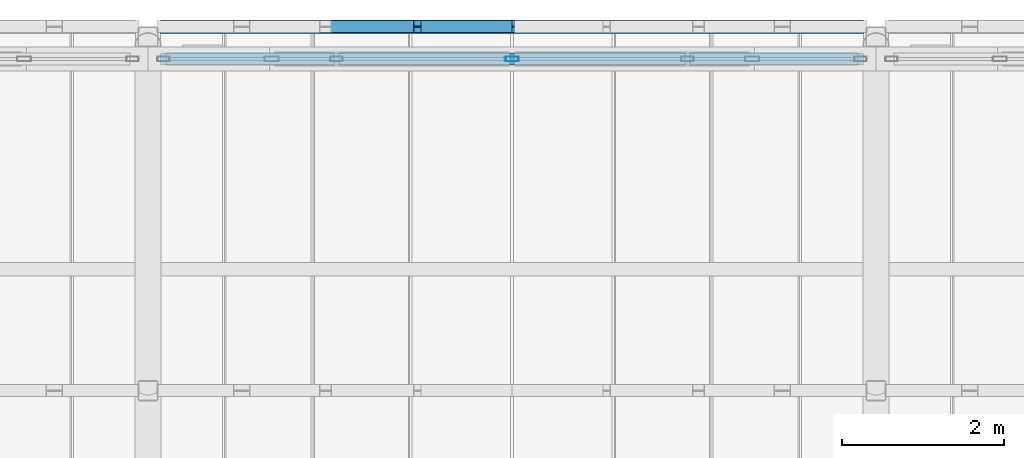
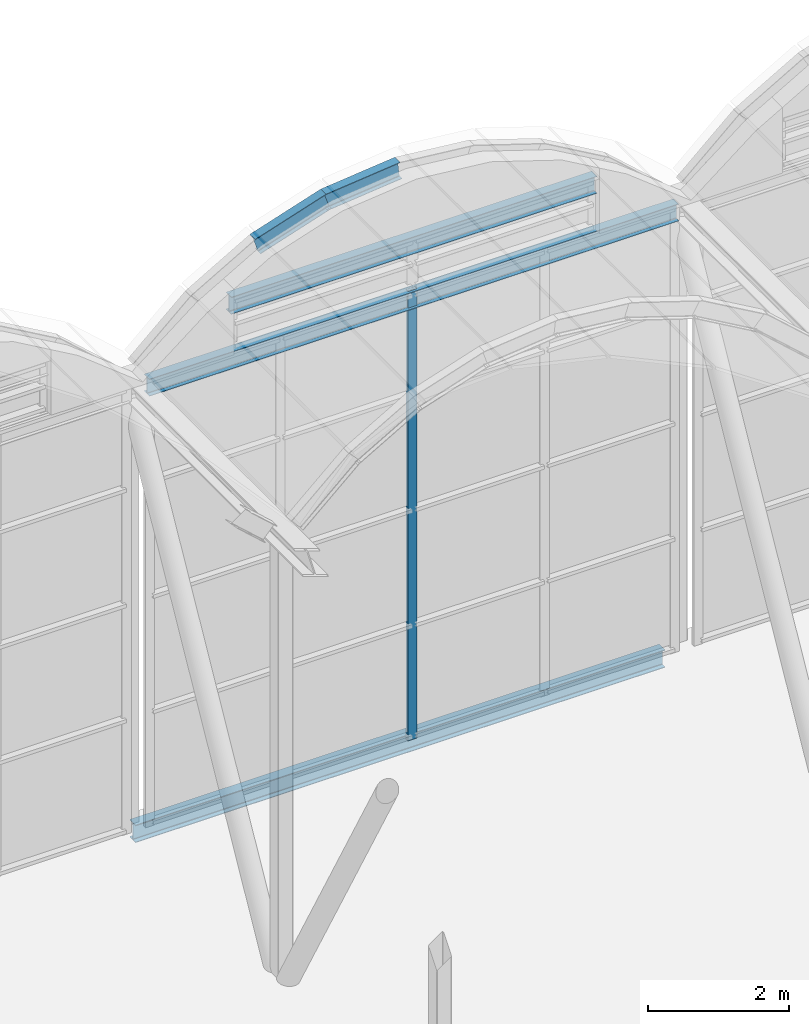
# One storey, part 107 of 144: 3 beams, 3 members, 1 element without a shape of its own.
"""IFC4 building model written with IfcOpenShell, lengths in metres."""

import ifcopenshell
import ifcopenshell.guid

model = None  # the IFC model being written
_history = None  # IfcOwnerHistory: only IFC2X3 demands one
_inside = {}  # id of a spatial element -> (the spatial element, [elements in it])
_under = {}  # id of a project, library or spatial element -> (it, [spatial elements below it])
_declared = {}  # id of a project -> (the project, [libraries it declares])
_typed = {}  # id of a type object -> (the type object, [elements of that type])
_made_of = {}  # id of a material, layer set ... -> (it, [elements and type objects made of it])


def new_model(schema):
    """Start an empty IFC model of exactly this schema.

    Asked for "IFC4X3", IfcOpenShell would pick the latest addendum, in which some entities
    have other attributes; the version numbers below select the first issue.
    IFC2X3 requires an IfcOwnerHistory on every rooted entity: one is made here for all.
    """
    global model, _history
    if schema == "IFC4X3":
        model = ifcopenshell.file(schema_version=(4, 3, 0, 0))
    else:
        model = ifcopenshell.file(schema=schema)
    _inside.clear()
    _under.clear()
    _declared.clear()
    _typed.clear()
    _made_of.clear()
    _history = None
    if model.schema == "IFC2X3":
        org = make("IfcOrganization", Name="unknown")
        user = make(
            "IfcPersonAndOrganization",
            ThePerson=make("IfcPerson", FamilyName="unknown"),
            TheOrganization=org,
        )
        app = make(
            "IfcApplication",
            ApplicationDeveloper=org,
            Version="unknown",
            ApplicationFullName="unknown",
            ApplicationIdentifier="unknown",
        )
        _history = make(
            "IfcOwnerHistory",
            OwningUser=user,
            OwningApplication=app,
            ChangeAction="ADDED",
            CreationDate=0,
        )
    return model


def make(cls, **values):
    """One entity of the class cls with the attributes given. An attribute that is None is left unset."""
    return model.create_entity(
        cls, **{name: value for name, value in values.items() if value is not None}
    )


def rooted(cls, **values):
    """An entity with a GlobalId (a new one), such as an element, a storey or a relation."""
    return make(cls, GlobalId=ifcopenshell.guid.new(), OwnerHistory=_history, **values)


def si_unit(unit_type, name, prefix=None):
    """IfcSIUnit, for example si_unit("LENGTHUNIT", "METRE", prefix="MILLI")."""
    return make("IfcSIUnit", UnitType=unit_type, Prefix=prefix, Name=name)


def assignment(units):
    """IfcUnitAssignment: the units of a project."""
    return None if units is None else make("IfcUnitAssignment", Units=units)


def point(xyz):
    """IfcCartesianPoint."""
    return None if xyz is None else make("IfcCartesianPoint", Coordinates=xyz)


def direction(xyz):
    """IfcDirection."""
    return None if xyz is None else make("IfcDirection", DirectionRatios=xyz)


def frame(location, z_axis=None, x_axis=None):
    """IfcAxis2Placement3D, a coordinate frame: its origin and axes. An axis left out is left unset."""
    return make(
        "IfcAxis2Placement3D",
        Location=point(location),
        Axis=direction(z_axis),
        RefDirection=direction(x_axis),
    )


def frame_2d(location, x_axis=None):
    """IfcAxis2Placement2D, a coordinate frame in the plane: its origin and x axis."""
    return make(
        "IfcAxis2Placement2D", Location=point(location), RefDirection=direction(x_axis)
    )


def origin():
    """The frame at (0, 0, 0) with its axes left unset."""
    return frame((0.0, 0.0, 0.0))


def origin_2d():
    """The frame at (0, 0) in the plane with its x axis left unset."""
    return frame_2d((0.0, 0.0))


def place(relative_to, where):
    """IfcLocalPlacement: puts the frame where relative to a parent placement (None: the world)."""
    return make(
        "IfcLocalPlacement", PlacementRelTo=relative_to, RelativePlacement=where
    )


def context(
    kind, dimensions, precision=None, world=None, true_north=None, identifier=None
):
    """IfcGeometricRepresentationContext, for example the 3D "Model" context."""
    return make(
        "IfcGeometricRepresentationContext",
        ContextIdentifier=identifier,
        ContextType=kind,
        CoordinateSpaceDimension=dimensions,
        Precision=precision,
        WorldCoordinateSystem=world,
        TrueNorth=true_north,
    )


def subcontext(parent, identifier, kind, view, scale=None):
    """IfcGeometricRepresentationSubContext, for example "Body" below "Model"."""
    return make(
        "IfcGeometricRepresentationSubContext",
        ContextIdentifier=identifier,
        ContextType=kind,
        ParentContext=parent,
        TargetScale=scale,
        TargetView=view,
    )


def project(units=None, contexts=None):
    """IfcProject with its units and contexts."""
    return rooted(
        "IfcProject",
        Name="project",
        RepresentationContexts=contexts,
        UnitsInContext=assignment(units),
    )


def spatial(cls, under=None, at=None, **own):
    """A site, building, storey or space (cls), placed at a placement, below another one or the project."""
    s = rooted(cls, ObjectPlacement=at, **own)
    if under is not None:
        _under.setdefault(under.id(), (under, []))[1].append(s)
    return s


def profile(cls, at=None, kind="AREA", **sizes):
    """A parametric profile (cls). Its sizes go by their IFC names, for example OverallWidth=200.0."""
    return make(cls, ProfileType=kind, Position=at, **sizes)


def hollow_rectangle(**sizes):
    """IfcRectangleHollowProfileDef."""
    return profile("IfcRectangleHollowProfileDef", **sizes)


def i_section(**sizes):
    """IfcIShapeProfileDef."""
    return profile("IfcIShapeProfileDef", **sizes)


def extrude(swept, where, along, depth):
    """IfcExtrudedAreaSolid: the profile swept, set in the frame where, extruded along a direction by depth."""
    return make(
        "IfcExtrudedAreaSolid",
        SweptArea=swept,
        Position=where,
        ExtrudedDirection=direction(along),
        Depth=depth,
    )


def shape(context_of_items, identifier, shape_type, items):
    """IfcShapeRepresentation: the items that make up one representation, for example the "Body"."""
    return make(
        "IfcShapeRepresentation",
        ContextOfItems=context_of_items,
        RepresentationIdentifier=identifier,
        RepresentationType=shape_type,
        Items=items,
    )


def material(Name=None, Category=None):
    """IfcMaterial."""
    return make("IfcMaterial", Name=Name, Category=Category)


def layer(
    of_material, thickness, ventilated=None, Name=None, Category=None, Priority=None
):
    """IfcMaterialLayer: one layer of a wall or slab, of a material (None: an air gap)."""
    return make(
        "IfcMaterialLayer",
        Material=of_material,
        LayerThickness=thickness,
        IsVentilated=ventilated,
        Name=Name,
        Category=Category,
        Priority=Priority,
    )


def layer_set(layers, Name=None):
    """IfcMaterialLayerSet."""
    return make("IfcMaterialLayerSet", MaterialLayers=layers, LayerSetName=Name)


def material_profile(
    of_material, cross_section, Name=None, Category=None, Priority=None
):
    """IfcMaterialProfile: a cross section and its material."""
    return make(
        "IfcMaterialProfile",
        Name=Name,
        Material=of_material,
        Profile=cross_section,
        Priority=Priority,
        Category=Category,
    )


def profile_set(profiles, Name=None, composite=None):
    """IfcMaterialProfileSet."""
    return make(
        "IfcMaterialProfileSet",
        Name=Name,
        MaterialProfiles=profiles,
        CompositeProfile=composite,
    )


def made_of(thing, what):
    """Note that an element or type object is made of a material, layer set ...; save() writes the relation."""
    if what is not None:
        _made_of.setdefault(what.id(), (what, []))[1].append(thing)
    return thing


def type_object(cls, material=None, **own):
    """A type object (cls), such as IfcWallType, which elements share."""
    return made_of(rooted(cls, **own), material)


def element(
    cls,
    number,
    at=None,
    inside=None,
    cuts=None,
    type_object=None,
    material=None,
    context=None,
    identifier="Body",
    shape_type=None,
    held_by="IfcProductDefinitionShape",
    body=None,
    shapes=None,
    **own,
):
    """One element of the class cls, such as IfcWall. Its Tag is "e" and its number.

    at: its placement. inside: the storey or other place that contains it. cuts: it is an
    opening in that element (IfcRelVoidsElement). A single representation is given by context,
    identifier, shape_type and body (its items); several are given by shapes. held_by: the class
    of the entity that holds the representations. save() writes the other relations.
    """
    e = rooted(cls, Tag="e%d" % number, ObjectPlacement=at, **own)
    if body is not None:
        shapes = [shape(context, identifier, shape_type, body)]
    if shapes is not None:
        e.Representation = make(held_by, Representations=shapes)
    if inside is not None:
        _inside.setdefault(inside.id(), (inside, []))[1].append(e)
    if cuts is not None:
        rooted(
            "IfcRelVoidsElement", RelatingBuildingElement=cuts, RelatedOpeningElement=e
        )
    if type_object is not None:
        _typed.setdefault(type_object.id(), (type_object, []))[1].append(e)
    return made_of(e, material)


def aggregate(whole, parts):
    """IfcRelAggregates: a whole, such as a stair, and the parts it consists of."""
    return rooted("IfcRelAggregates", RelatingObject=whole, RelatedObjects=parts)


def save(model, path):
    """Write the relations noted so far, then the file.

    IfcRelAggregates (storeys below a building ...), IfcRelContainedInSpatialStructure (elements
    in a storey), IfcRelDefinesByType, IfcRelAssociatesMaterial and IfcRelDeclares: one each for
    every whole, place, type object, material and project.
    """
    for whole, parts in _under.values():
        aggregate(whole, parts)
    for where, things in _inside.values():
        rooted(
            "IfcRelContainedInSpatialStructure",
            RelatedElements=things,
            RelatingStructure=where,
        )
    for kind, things in _typed.values():
        rooted("IfcRelDefinesByType", RelatedObjects=things, RelatingType=kind)
    for what, things in _made_of.values():
        rooted("IfcRelAssociatesMaterial", RelatedObjects=things, RelatingMaterial=what)
    for by, libraries in _declared.values():
        rooted("IfcRelDeclares", RelatingContext=by, RelatedDefinitions=libraries)
    model.write(path)


model = new_model("IFC4")

# Units and contexts
model_context = context("Model", 3, precision=1e-05, world=origin(), true_north=direction((0.0, 1.0)))
body_context = subcontext(model_context, "Body", "Model", "MODEL_VIEW")
ifc_project = project(units=[si_unit("LENGTHUNIT", "METRE"), si_unit("AREAUNIT", "SQUARE_METRE"), si_unit("VOLUMEUNIT", "CUBIC_METRE"), si_unit("PLANEANGLEUNIT", "RADIAN"), si_unit("MASSUNIT", "GRAM", prefix="KILO")], contexts=[model_context])

# Site, building, storey
site_placement = place(None, origin())
site = spatial("IfcSite", under=ifc_project, at=site_placement, CompositionType="ELEMENT")
building_placement = place(site_placement, origin())
building = spatial("IfcBuilding", under=site, at=building_placement, Name="Shorebreak Coast Museum", CompositionType="ELEMENT")
storey_placement = place(building_placement, frame((0.0, 0.0, 36.0)))
storey = spatial("IfcBuildingStorey", under=building, at=storey_placement, Name="L06", CompositionType="ELEMENT", Elevation=36.0)

# Curtain wall, member
ifc_material_1 = material(Name="Aluminium", Category="aluminium")
ifc_layer = layer(ifc_material_1, 0.14990234375)
ifc_layer_set = layer_set([ifc_layer], Name="Aluminium")
curtain_wall_type = type_object("IfcCurtainWallType", Name="Barrel end glazing", PredefinedType="NOTDEFINED", material=ifc_layer_set)
curtain_wall_placement = place(storey_placement, origin())
curtain_wall = element("IfcCurtainWall", 1, at=curtain_wall_placement, inside=storey, type_object=curtain_wall_type, Name="Barrel end glazing L06 4", PredefinedType="NOTDEFINED")
ifc_material_2 = material(Name="Aluminium", Category="aluminium")
ifc_material_profile_1 = material_profile(ifc_material_2, hollow_rectangle(XDim=0.06005859375, YDim=0.14990234375, WallThickness=0.00390625, at=origin_2d()), Name="AL 150x60 RHS")
ifc_profile_set_1 = profile_set([ifc_material_profile_1], Name="Aluminium")
member_type_1 = type_object("IfcMemberType", Name="Barrel mullion 60 x 150", PredefinedType="MULLION", material=ifc_profile_set_1)
member_placement = place(storey_placement, frame((85.5, 134.60009765625, 0.0), z_axis=(0.0, 0.0, 1.0), x_axis=(0.0, 1.0, 0.0)))
member = element("IfcMember", 2, at=member_placement, type_object=member_type_1, Name="CW7 mullion 3", PredefinedType="MULLION", context=body_context, shape_type="SweptSolid", body=[
    extrude(hollow_rectangle(XDim=0.06005859375, YDim=0.14990234375, WallThickness=0.00390625, at=origin_2d()), origin(), (0.0, 0.0, 1.0), 7.800048828125),
])
aggregate(curtain_wall, [member])

# Beam
ifc_material_3 = material(Name="Steel Grade 300", Category="steel")
ifc_material_profile_2 = material_profile(ifc_material_3, i_section(OverallWidth=0.166015625, OverallDepth=0.30712890625, WebThickness=0.006591796875, FlangeThickness=0.01171875, FilletRadius=0.011474609375, at=origin_2d()), Name="310UB46.2")
ifc_profile_set_2 = profile_set([ifc_material_profile_2], Name="Steel Grade 300")
beam_type_1 = type_object("IfcBeamType", Name="Floor girder east-west 310UB46.2", PredefinedType="BEAM", material=ifc_profile_set_2)
beam_1_placement = place(storey_placement, frame((81.155517578125, 135.0, -0.32861328125), z_axis=(1.0, 0.0, 0.0), x_axis=(0.0, 1.0, 0.0)))
element("IfcBeam", 3, at=beam_1_placement, inside=storey, type_object=beam_type_1, Name="Floor girder east-west L06 10S", PredefinedType="BEAM", context=body_context, shape_type="SweptSolid", body=[
    extrude(i_section(OverallWidth=0.166015625, OverallDepth=0.30712890625, WebThickness=0.006591796875, FlangeThickness=0.01171875, FilletRadius=0.011474609375, at=origin_2d()), origin(), (0.0, 0.0, 1.0), 8.68896484375),
])

# Members
ifc_material_4 = material(Name="Steel Grade 300", Category="steel")
ifc_material_profile_3 = material_profile(ifc_material_4, i_section(OverallWidth=0.14892578125, OverallDepth=0.298095703125, WebThickness=0.005615234375, FlangeThickness=0.008056640625, FilletRadius=0.012939453125, at=origin_2d()), Name="310UB32.0")
ifc_profile_set_3 = profile_set([ifc_material_profile_3], Name="Steel Grade 300")
member_type_2 = type_object("IfcMemberType", Name="Vault arch rib 310UB32.0", PredefinedType="RAFTER", material=ifc_profile_set_3)
for number, where, z_axis, x_axis, name in (
    (4, (83.165283203125, 135.0, 9.152099609375), (0.951225984169, 0.0, 0.308494938436), (0.0, 1.0, 0.0), "Vault arch rib V4 line 10 facet 3"),
    (5, (84.298828125, 135.0, 9.52294921875), (0.994539296345, 0.0, 0.104362771266), (0.0, 1.0, 0.0), "Vault arch rib V4 line 10 facet 4"),
):
    element("IfcMember", number, at=place(storey_placement, frame(where, z_axis=z_axis, x_axis=x_axis)), inside=storey, type_object=member_type_2, Name=name, PredefinedType="RAFTER", context=body_context, shape_type="SweptSolid", body=[
        extrude(i_section(OverallWidth=0.14892578125, OverallDepth=0.298095703125, WebThickness=0.005615234375, FlangeThickness=0.008056640625, FilletRadius=0.012939453125, at=origin_2d()), origin(), (0.0, 0.0, 1.0), 1.223388671875),
    ])

# Beams
ifc_material_5 = material(Name="Steel Grade 300", Category="steel")
ifc_material_profile_4 = material_profile(ifc_material_5, i_section(OverallWidth=0.14892578125, OverallDepth=0.298095703125, WebThickness=0.005615234375, FlangeThickness=0.008056640625, FilletRadius=0.012939453125, at=origin_2d()), Name="310UB32.0")
ifc_profile_set_4 = profile_set([ifc_material_profile_4], Name="Steel Grade 300")
beam_type_2 = type_object("IfcBeamType", Name="Vault end edge beam 310UB32.0", PredefinedType="BEAM", material=ifc_profile_set_4)
beam_2_placement = place(storey_placement, frame((81.155517578125, 134.60009765625, 7.65087890625), z_axis=(1.0, 0.0, 0.0), x_axis=(0.0, 1.0, 0.0)))
element("IfcBeam", 6, at=beam_2_placement, inside=storey, type_object=beam_type_2, Name="Vault end edge beam V4", PredefinedType="BEAM", context=body_context, shape_type="SweptSolid", body=[
    extrude(i_section(OverallWidth=0.14892578125, OverallDepth=0.298095703125, WebThickness=0.005615234375, FlangeThickness=0.008056640625, FilletRadius=0.012939453125, at=origin_2d()), origin(), (0.0, 0.0, 1.0), 8.68896484375),
])
ifc_material_6 = material(Name="Steel Grade 300", Category="steel")
ifc_material_profile_5 = material_profile(ifc_material_6, i_section(OverallWidth=0.14892578125, OverallDepth=0.298095703125, WebThickness=0.005615234375, FlangeThickness=0.008056640625, FilletRadius=0.012939453125, at=origin_2d()), Name="310UB32.0")
ifc_profile_set_5 = profile_set([ifc_material_profile_5], Name="Steel Grade 300")
beam_type_3 = type_object("IfcBeamType", Name="Vault end lintel 310UB32.0", PredefinedType="BEAM", material=ifc_profile_set_5)
beam_3_placement = place(storey_placement, frame((82.5, 134.60009765625, 8.60107421875), z_axis=(1.0, 0.0, 0.0), x_axis=(0.0, 1.0, 0.0)))
element("IfcBeam", 7, at=beam_3_placement, inside=storey, type_object=beam_type_3, Name="Vault end lintel V4", PredefinedType="BEAM", context=body_context, shape_type="SweptSolid", body=[
    extrude(i_section(OverallWidth=0.14892578125, OverallDepth=0.298095703125, WebThickness=0.005615234375, FlangeThickness=0.008056640625, FilletRadius=0.012939453125, at=origin_2d()), origin(), (0.0, 0.0, 1.0), 6.0),
])

save(model, "model.ifc")
